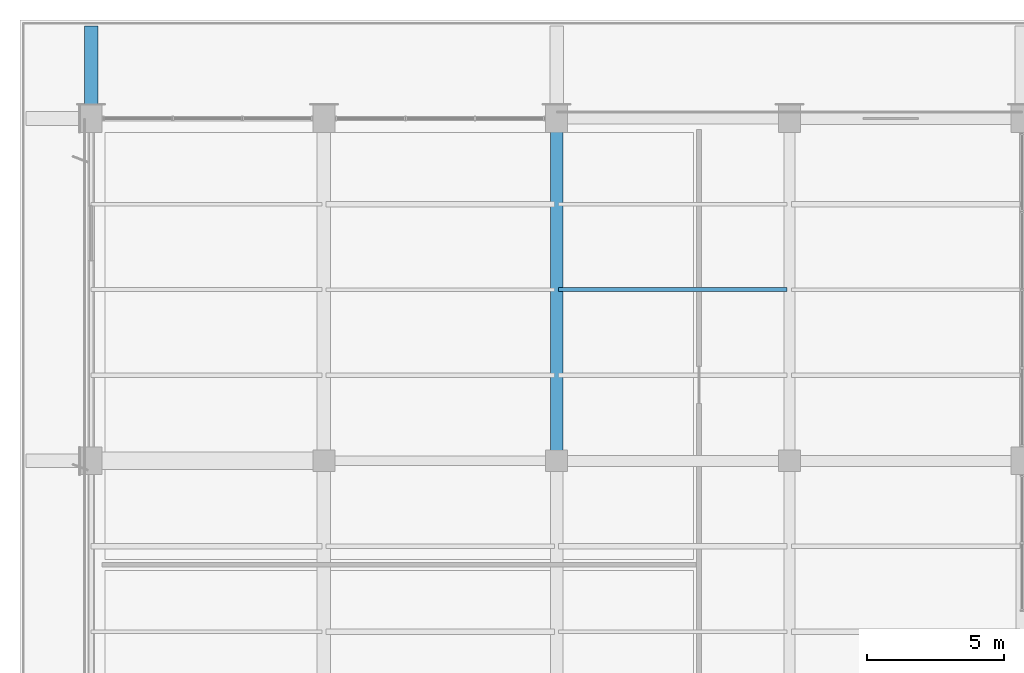
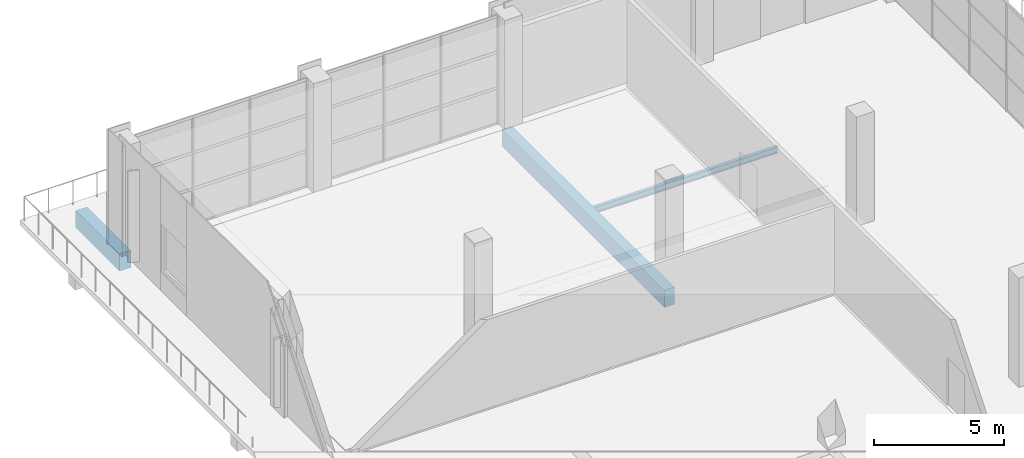
# One storey, part 26 of 90: 3 beams.
"""IFC4 building model written with IfcOpenShell, lengths in metres."""

from ifc_helpers import new_model, si_unit, direction, frame, origin, origin_2d, place, context, subcontext, project, spatial, rectangle, i_section, extrude, material, material_profile, profile_set, type_object, element, save


model = new_model("IFC4")

# Units and contexts
model_context = context("Model", 3, precision=1e-05, world=origin(), true_north=direction((0.0, 1.0)))
body_context = subcontext(model_context, "Body", "Model", "MODEL_VIEW")
ifc_project = project(units=[si_unit("LENGTHUNIT", "METRE"), si_unit("AREAUNIT", "SQUARE_METRE"), si_unit("VOLUMEUNIT", "CUBIC_METRE"), si_unit("PLANEANGLEUNIT", "RADIAN"), si_unit("MASSUNIT", "GRAM", prefix="KILO")], contexts=[model_context])

# Site, building, storey
site_placement = place(None, origin())
site = spatial("IfcSite", under=ifc_project, at=site_placement, CompositionType="ELEMENT")
building_placement = place(site_placement, origin())
building = spatial("IfcBuilding", under=site, at=building_placement, Name="Solvikara Media Centre", CompositionType="ELEMENT")
storey_placement = place(building_placement, origin())
storey = spatial("IfcBuildingStorey", under=building, at=storey_placement, Name="L00", CompositionType="ELEMENT", Elevation=0.0)

# Beams
ifc_material_1 = material(Name="Concrete fc' 35 MPa (C35/45)", Category="concrete")
ifc_material_profile_1 = material_profile(ifc_material_1, rectangle(XDim=0.449951171875, YDim=0.800048828125, at=origin_2d()), Name="RC 450x800")
ifc_profile_set_1 = profile_set([ifc_material_profile_1], Name="Concrete fc' 35 MPa (C35/45)")
beam_type_1 = type_object("IfcBeamType", Name="BM-06", PredefinedType="BEAM", material=ifc_profile_set_1)
beam_1_placement = place(storey_placement, frame((17.0, 101.5, -0.739990234375), z_axis=(0.0, 1.0, 0.0), x_axis=(-1.0, 0.0, 0.0)))
element("IfcBeam", 1, at=beam_1_placement, inside=storey, type_object=beam_type_1, Name="B-L00-Y0138", PredefinedType="BEAM", context=body_context, shape_type="SweptSolid", body=[
    extrude(rectangle(XDim=0.449951171875, YDim=0.800048828125, at=origin_2d()), origin(), (0.0, 0.0, 1.0), 12.5),
])
ifc_material_profile_2 = material_profile(ifc_material_1, rectangle(XDim=0.5, YDim=0.800048828125, at=origin_2d()), Name="RC 500x800")
ifc_profile_set_2 = profile_set([ifc_material_profile_2], Name="Concrete fc' 35 MPa (C35/45)")
beam_type_2 = type_object("IfcBeamType", Name="BM-07", PredefinedType="BEAM", material=ifc_profile_set_2)
beam_2_placement = place(storey_placement, frame((0.0, 114.0, -0.64990234375), z_axis=(0.0, 1.0, 0.0), x_axis=(-1.0, 0.0, 0.0)))
element("IfcBeam", 2, at=beam_2_placement, inside=storey, type_object=beam_type_2, Name="B-L00-PRM-034", PredefinedType="BEAM", context=body_context, shape_type="SweptSolid", body=[
    extrude(rectangle(XDim=0.5, YDim=0.800048828125, at=origin_2d()), origin(), (0.0, 0.0, 1.0), 3.3798828125),
])
ifc_material_2 = material(Name="Steel S355JR", Category="steel")
ifc_material_profile_3 = material_profile(ifc_material_2, i_section(OverallWidth=0.14990234375, OverallDepth=0.300048828125, WebThickness=0.006591796875, FlangeThickness=0.009033203125, at=origin_2d()), Name="WF 300x150x6.5x9")
ifc_profile_set_3 = profile_set([ifc_material_profile_3], Name="Steel S355JR")
beam_type_3 = type_object("IfcBeamType", Name="BM-23", PredefinedType="JOIST", material=ifc_profile_set_3)
beam_3_placement = place(storey_placement, frame((17.077880859375, 107.75, -0.491943359375), z_axis=(1.0, 0.0, 0.0), x_axis=(0.0, 1.0, 0.0)))
element("IfcBeam", 3, at=beam_3_placement, inside=storey, type_object=beam_type_3, Name="J-L00-0307", PredefinedType="JOIST", context=body_context, shape_type="SweptSolid", body=[
    extrude(i_section(OverallWidth=0.14990234375, OverallDepth=0.300048828125, WebThickness=0.006591796875, FlangeThickness=0.009033203125, at=origin_2d()), origin(), (0.0, 0.0, 1.0), 8.34423828125),
])

save(model, "model.ifc")
